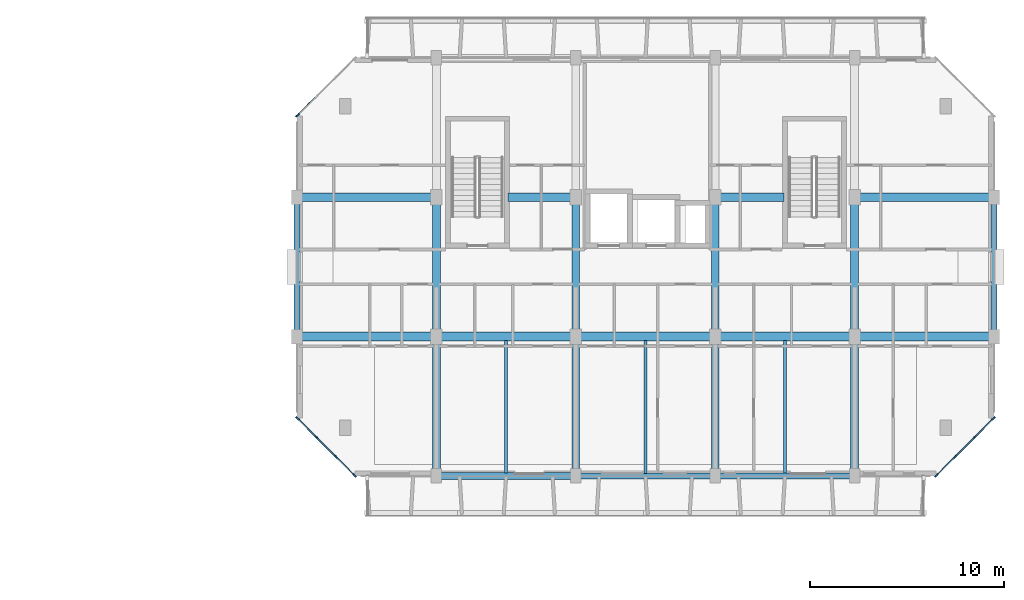
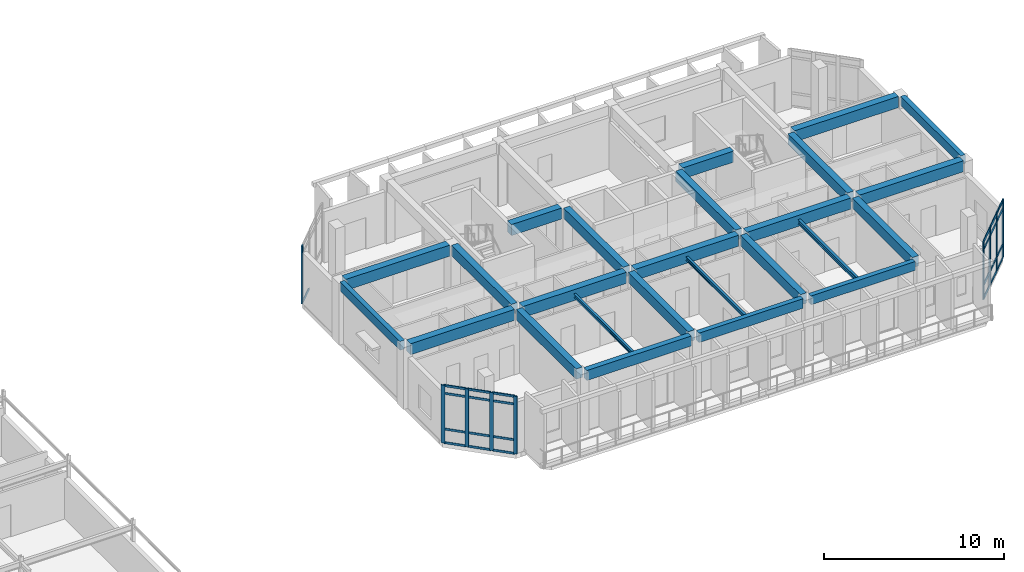
# One storey, part 31 of 85: 34 members, 25 beams, 3 elements without a shape of their own.
"""IFC4 building model written with IfcOpenShell, lengths in metres."""

from ifc_helpers import new_model, si_unit, direction, frame, origin, origin_2d, place, context, subcontext, project, spatial, rectangle, i_section, extrude, material, layer, layer_set, material_profile, profile_set, type_object, element, aggregate, save


model = new_model("IFC4")

# Units and contexts
model_context = context("Model", 3, precision=1e-05, world=origin(), true_north=direction((0.0, 1.0)))
body_context = subcontext(model_context, "Body", "Model", "MODEL_VIEW")
ifc_project = project(units=[si_unit("LENGTHUNIT", "METRE"), si_unit("AREAUNIT", "SQUARE_METRE"), si_unit("VOLUMEUNIT", "CUBIC_METRE"), si_unit("PLANEANGLEUNIT", "RADIAN"), si_unit("MASSUNIT", "GRAM", prefix="KILO")], contexts=[model_context])

# Site, building, storey
site_placement = place(None, origin())
site = spatial("IfcSite", under=ifc_project, at=site_placement, CompositionType="ELEMENT")
building_placement = place(site_placement, origin())
building = spatial("IfcBuilding", under=site, at=building_placement, Name="Ochrevale Crest", CompositionType="ELEMENT")
storey_placement = place(building_placement, frame((0.0, 0.0, 4.5)))
storey = spatial("IfcBuildingStorey", under=building, at=storey_placement, Name="L01", CompositionType="ELEMENT", Elevation=4.5)

# Beams
ifc_material_1 = material(Name="Precast concrete C50/60", Category="concrete")
ifc_material_profile_1 = material_profile(ifc_material_1, rectangle(XDim=0.39990234375, YDim=0.699951171875, at=origin_2d()), Name="PC 400x700")
ifc_profile_set_1 = profile_set([ifc_material_profile_1], Name="Precast concrete C50/60")
beam_type_1 = type_object("IfcBeamType", Name="BM-PC400x700", PredefinedType="BEAM", material=ifc_profile_set_1)
beam_1_placement = place(storey_placement, frame((136.800048828125, 14.655029296875, 3.85009765625), z_axis=(0.0, 1.0, 0.0), x_axis=(-1.0, 0.0, 0.0)))
element("IfcBeam", 1, at=beam_1_placement, inside=storey, type_object=beam_type_1, Name="Block C L01 N-S beam X=136.8", PredefinedType="BEAM", context=body_context, shape_type="SweptSolid", body=[
    extrude(rectangle(XDim=0.39990234375, YDim=0.699951171875, at=origin_2d()), origin(), (0.0, 0.0, 1.0), 6.6650390625),
])
beam_2_placement = place(storey_placement, frame((136.800048828125, 21.8798828125, 3.85009765625), z_axis=(0.0, 1.0, 0.0), x_axis=(-1.0, 0.0, 0.0)))
element("IfcBeam", 2, at=beam_2_placement, inside=storey, type_object=beam_type_1, Name="Block C L01 N-S beam X=136.8", PredefinedType="BEAM", context=body_context, shape_type="SweptSolid", body=[
    extrude(rectangle(XDim=0.39990234375, YDim=0.699951171875, at=origin_2d()), origin(), (0.0, 0.0, 1.0), 6.64013671875),
])
beam_3_placement = place(storey_placement, frame((144.0, 14.655029296875, 3.85009765625), z_axis=(0.0, 1.0, 0.0), x_axis=(-1.0, 0.0, 0.0)))
element("IfcBeam", 3, at=beam_3_placement, inside=storey, type_object=beam_type_1, Name="Block C L01 N-S beam X=144.0", PredefinedType="BEAM", context=body_context, shape_type="SweptSolid", body=[
    extrude(rectangle(XDim=0.39990234375, YDim=0.699951171875, at=origin_2d()), origin(), (0.0, 0.0, 1.0), 6.6650390625),
])
beam_4_placement = place(storey_placement, frame((144.0, 21.8798828125, 3.85009765625), z_axis=(0.0, 1.0, 0.0), x_axis=(-1.0, 0.0, 0.0)))
element("IfcBeam", 4, at=beam_4_placement, inside=storey, type_object=beam_type_1, Name="Block C L01 N-S beam X=144.0", PredefinedType="BEAM", context=body_context, shape_type="SweptSolid", body=[
    extrude(rectangle(XDim=0.39990234375, YDim=0.699951171875, at=origin_2d()), origin(), (0.0, 0.0, 1.0), 6.64013671875),
])
beam_5_placement = place(storey_placement, frame((151.199951171875, 14.655029296875, 3.85009765625), z_axis=(0.0, 1.0, 0.0), x_axis=(-1.0, 0.0, 0.0)))
element("IfcBeam", 5, at=beam_5_placement, inside=storey, type_object=beam_type_1, Name="Block C L01 N-S beam X=151.2", PredefinedType="BEAM", context=body_context, shape_type="SweptSolid", body=[
    extrude(rectangle(XDim=0.39990234375, YDim=0.699951171875, at=origin_2d()), origin(), (0.0, 0.0, 1.0), 6.6650390625),
])
beam_6_placement = place(storey_placement, frame((151.199951171875, 21.8798828125, 3.85009765625), z_axis=(0.0, 1.0, 0.0), x_axis=(-1.0, 0.0, 0.0)))
element("IfcBeam", 6, at=beam_6_placement, inside=storey, type_object=beam_type_1, Name="Block C L01 N-S beam X=151.2", PredefinedType="BEAM", context=body_context, shape_type="SweptSolid", body=[
    extrude(rectangle(XDim=0.39990234375, YDim=0.699951171875, at=origin_2d()), origin(), (0.0, 0.0, 1.0), 6.64013671875),
])
beam_7_placement = place(storey_placement, frame((158.39990234375, 14.655029296875, 3.85009765625), z_axis=(0.0, 1.0, 0.0), x_axis=(-1.0, 0.0, 0.0)))
element("IfcBeam", 7, at=beam_7_placement, inside=storey, type_object=beam_type_1, Name="Block C L01 N-S beam X=158.4", PredefinedType="BEAM", context=body_context, shape_type="SweptSolid", body=[
    extrude(rectangle(XDim=0.39990234375, YDim=0.699951171875, at=origin_2d()), origin(), (0.0, 0.0, 1.0), 6.6650390625),
])
beam_8_placement = place(storey_placement, frame((158.39990234375, 21.8798828125, 3.85009765625), z_axis=(0.0, 1.0, 0.0), x_axis=(-1.0, 0.0, 0.0)))
element("IfcBeam", 8, at=beam_8_placement, inside=storey, type_object=beam_type_1, Name="Block C L01 N-S beam X=158.4", PredefinedType="BEAM", context=body_context, shape_type="SweptSolid", body=[
    extrude(rectangle(XDim=0.39990234375, YDim=0.699951171875, at=origin_2d()), origin(), (0.0, 0.0, 1.0), 6.64013671875),
])
ifc_material_2 = material(Name="Concrete C50/60", Category="concrete")
ifc_material_profile_2 = material_profile(ifc_material_2, rectangle(XDim=0.449951171875, YDim=0.75, at=origin_2d()), Name="RC 450x750")
ifc_profile_set_2 = profile_set([ifc_material_profile_2], Name="Concrete C50/60")
beam_type_2 = type_object("IfcBeamType", Name="BM-PG450x750", PredefinedType="USERDEFINED", material=ifc_profile_set_2)
beam_9_placement = place(storey_placement, frame((129.85009765625, 21.60009765625, 3.824951171875), z_axis=(1.0, 0.0, 0.0), x_axis=(0.0, 1.0, 0.0)))
element("IfcBeam", 9, at=beam_9_placement, inside=storey, type_object=beam_type_2, Name="Block C L01 E-W beam Y=21.6", ObjectType="GIRDER", PredefinedType="USERDEFINED", context=body_context, shape_type="SweptSolid", body=[
    extrude(rectangle(XDim=0.449951171875, YDim=0.75, at=origin_2d()), origin(), (0.0, 0.0, 1.0), 6.6748046875),
])
for number, where, z_axis, x_axis, name in (
    (10, (137.074951171875, 21.60009765625, 3.824951171875), (1.0, 0.0, 0.0), (0.0, 1.0, 0.0), "Block C L01 E-W beam Y=21.6"),
    (11, (144.27490234375, 21.60009765625, 3.824951171875), (1.0, 0.0, 0.0), (0.0, 1.0, 0.0), "Block C L01 E-W beam Y=21.6"),
):
    element("IfcBeam", number, at=place(storey_placement, frame(where, z_axis=z_axis, x_axis=x_axis)), inside=storey, type_object=beam_type_2, Name=name, ObjectType="GIRDER", PredefinedType="USERDEFINED", context=body_context, shape_type="SweptSolid", body=[
        extrude(rectangle(XDim=0.449951171875, YDim=0.75, at=origin_2d()), origin(), (0.0, 0.0, 1.0), 6.650146484375),
    ])
beam_10_placement = place(storey_placement, frame((151.47509765625, 21.60009765625, 3.824951171875), z_axis=(1.0, 0.0, 0.0), x_axis=(0.0, 1.0, 0.0)))
element("IfcBeam", 12, at=beam_10_placement, inside=storey, type_object=beam_type_2, Name="Block C L01 E-W beam Y=21.6", ObjectType="GIRDER", PredefinedType="USERDEFINED", context=body_context, shape_type="SweptSolid", body=[
    extrude(rectangle(XDim=0.449951171875, YDim=0.75, at=origin_2d()), origin(), (0.0, 0.0, 1.0), 6.64990234375),
])
beam_11_placement = place(storey_placement, frame((158.675048828125, 21.60009765625, 3.824951171875), z_axis=(1.0, 0.0, 0.0), x_axis=(0.0, 1.0, 0.0)))
element("IfcBeam", 13, at=beam_11_placement, inside=storey, type_object=beam_type_2, Name="Block C L01 E-W beam Y=21.6", ObjectType="GIRDER", PredefinedType="USERDEFINED", context=body_context, shape_type="SweptSolid", body=[
    extrude(rectangle(XDim=0.449951171875, YDim=0.75, at=origin_2d()), origin(), (0.0, 0.0, 1.0), 6.675048828125),
])
beam_12_placement = place(storey_placement, frame((129.85009765625, 28.800048828125, 3.824951171875), z_axis=(1.0, 0.0, 0.0), x_axis=(0.0, 1.0, 0.0)))
element("IfcBeam", 14, at=beam_12_placement, inside=storey, type_object=beam_type_2, Name="Block C L01 E-W beam Y=28.8", ObjectType="GIRDER", PredefinedType="USERDEFINED", context=body_context, shape_type="SweptSolid", body=[
    extrude(rectangle(XDim=0.449951171875, YDim=0.75, at=origin_2d()), origin(), (0.0, 0.0, 1.0), 6.6748046875),
])
beam_13_placement = place(storey_placement, frame((140.489990234375, 28.800048828125, 3.824951171875), z_axis=(1.0, 0.0, 0.0), x_axis=(0.0, 1.0, 0.0)))
element("IfcBeam", 15, at=beam_13_placement, inside=storey, type_object=beam_type_2, Name="Block C L01 E-W beam Y=28.8", ObjectType="GIRDER", PredefinedType="USERDEFINED", context=body_context, shape_type="SweptSolid", body=[
    extrude(rectangle(XDim=0.449951171875, YDim=0.75, at=origin_2d()), origin(), (0.0, 0.0, 1.0), 3.235107421875),
])
beam_14_placement = place(storey_placement, frame((151.47509765625, 28.800048828125, 3.824951171875), z_axis=(1.0, 0.0, 0.0), x_axis=(0.0, 1.0, 0.0)))
element("IfcBeam", 16, at=beam_14_placement, inside=storey, type_object=beam_type_2, Name="Block C L01 E-W beam Y=28.8", ObjectType="GIRDER", PredefinedType="USERDEFINED", context=body_context, shape_type="SweptSolid", body=[
    extrude(rectangle(XDim=0.449951171875, YDim=0.75, at=origin_2d()), origin(), (0.0, 0.0, 1.0), 3.284912109375),
])
beam_15_placement = place(storey_placement, frame((158.675048828125, 28.800048828125, 3.824951171875), z_axis=(1.0, 0.0, 0.0), x_axis=(0.0, 1.0, 0.0)))
element("IfcBeam", 17, at=beam_15_placement, inside=storey, type_object=beam_type_2, Name="Block C L01 E-W beam Y=28.8", ObjectType="GIRDER", PredefinedType="USERDEFINED", context=body_context, shape_type="SweptSolid", body=[
    extrude(rectangle(XDim=0.449951171875, YDim=0.75, at=origin_2d()), origin(), (0.0, 0.0, 1.0), 6.675048828125),
])
ifc_material_3 = material(Name="Precast concrete C40/50", Category="concrete")
ifc_material_profile_3 = material_profile(ifc_material_3, rectangle(XDim=0.300048828125, YDim=0.60009765625, at=origin_2d()), Name="PC 300x600")
ifc_profile_set_3 = profile_set([ifc_material_profile_3], Name="Precast concrete C40/50")
beam_type_3 = type_object("IfcBeamType", Name="BM-SP300x600", PredefinedType="SPANDREL", material=ifc_profile_set_3)
beam_16_placement = place(storey_placement, frame((151.449951171875, 14.39990234375, 3.89990234375), z_axis=(1.0, 0.0, 0.0), x_axis=(0.0, 1.0, 0.0)))
element("IfcBeam", 18, at=beam_16_placement, inside=storey, type_object=beam_type_3, Name="Block C L01 E-W beam Y=14.4", PredefinedType="SPANDREL", context=body_context, shape_type="SweptSolid", body=[
    extrude(rectangle(XDim=0.300048828125, YDim=0.60009765625, at=origin_2d()), origin(), (0.0, 0.0, 1.0), 6.699951171875),
])
for number, where, z_axis, x_axis, name in (
    (19, (129.60009765625, 21.85498046875, 3.89990234375), (0.0, 1.0, 0.0), (-1.0, 0.0, 0.0), "Block C L01 N-S beam X=129.6"),
    (20, (165.60009765625, 21.85498046875, 3.89990234375), (0.0, 1.0, 0.0), (-1.0, 0.0, 0.0), "Block C L01 N-S beam X=165.6"),
):
    element("IfcBeam", number, at=place(storey_placement, frame(where, z_axis=z_axis, x_axis=x_axis)), inside=storey, type_object=beam_type_3, Name=name, PredefinedType="SPANDREL", context=body_context, shape_type="SweptSolid", body=[
        extrude(rectangle(XDim=0.300048828125, YDim=0.60009765625, at=origin_2d()), origin(), (0.0, 0.0, 1.0), 6.68994140625),
    ])
ifc_material_profile_4 = material_profile(ifc_material_3, rectangle(XDim=0.300048828125, YDim=0.64990234375, at=origin_2d()), Name="PC 300x650")
ifc_profile_set_4 = profile_set([ifc_material_profile_4], Name="Precast concrete C40/50")
beam_type_4 = type_object("IfcBeamType", Name="BM-SP300x650", PredefinedType="SPANDREL", material=ifc_profile_set_4)
beam_17_placement = place(storey_placement, frame((144.25, 14.39990234375, 3.875), z_axis=(1.0, 0.0, 0.0), x_axis=(0.0, 1.0, 0.0)))
element("IfcBeam", 21, at=beam_17_placement, inside=storey, type_object=beam_type_4, Name="Block C L01 E-W beam Y=14.4", PredefinedType="SPANDREL", context=body_context, shape_type="SweptSolid", body=[
    extrude(rectangle(XDim=0.300048828125, YDim=0.64990234375, at=origin_2d()), origin(), (0.0, 0.0, 1.0), 6.699951171875),
])
ifc_material_profile_5 = material_profile(ifc_material_3, rectangle(XDim=0.35009765625, YDim=0.679931640625, at=origin_2d()), Name="PC 350x680")
ifc_profile_set_5 = profile_set([ifc_material_profile_5], Name="Precast concrete C40/50")
beam_type_5 = type_object("IfcBeamType", Name="BM-SP350x680", PredefinedType="SPANDREL", material=ifc_profile_set_5)
beam_18_placement = place(storey_placement, frame((137.050048828125, 14.39990234375, 3.860107421875), z_axis=(1.0, 0.0, 0.0), x_axis=(0.0, 1.0, 0.0)))
element("IfcBeam", 22, at=beam_18_placement, inside=storey, type_object=beam_type_5, Name="Block C L01 E-W beam Y=14.4", PredefinedType="SPANDREL", context=body_context, shape_type="SweptSolid", body=[
    extrude(rectangle(XDim=0.35009765625, YDim=0.679931640625, at=origin_2d()), origin(), (0.0, 0.0, 1.0), 6.699951171875),
])
ifc_material_4 = material(Name="Steel S355", Category="steel")
ifc_material_profile_6 = material_profile(ifc_material_4, i_section(OverallWidth=0.14599609375, OverallDepth=0.251708984375, WebThickness=0.006103515625, FlangeThickness=0.008544921875, FilletRadius=0.0087890625, at=origin_2d()), Name="250UB31.4")
ifc_profile_set_6 = profile_set([ifc_material_profile_6], Name="Steel S355")
beam_type_6 = type_object("IfcBeamType", Name="BM-UB250A", PredefinedType="JOIST", material=ifc_profile_set_6)
beam_19_placement = place(storey_placement, frame((140.39990234375, 14.56298828125, 3.79931640625), z_axis=(0.0, 1.0, 0.0), x_axis=(-1.0, 0.0, 0.0)))
element("IfcBeam", 23, at=beam_19_placement, inside=storey, type_object=beam_type_6, Name="Block C L01 composite plank trimmer beam 2", PredefinedType="JOIST", context=body_context, shape_type="SweptSolid", body=[
    extrude(i_section(OverallWidth=0.14599609375, OverallDepth=0.251708984375, WebThickness=0.006103515625, FlangeThickness=0.008544921875, FilletRadius=0.0087890625, at=origin_2d()), origin(), (0.0, 0.0, 1.0), 6.823974609375),
])
ifc_material_profile_7 = material_profile(ifc_material_4, i_section(OverallWidth=0.146484375, OverallDepth=0.256103515625, WebThickness=0.00634765625, FlangeThickness=0.010986328125, FilletRadius=0.0087890625, at=origin_2d()), Name="250UB37.3")
ifc_profile_set_7 = profile_set([ifc_material_profile_7], Name="Steel S355")
beam_type_7 = type_object("IfcBeamType", Name="BM-UB250B", PredefinedType="JOIST", material=ifc_profile_set_7)
beam_20_placement = place(storey_placement, frame((147.60009765625, 14.5380859375, 3.796875), z_axis=(0.0, 1.0, 0.0), x_axis=(-1.0, 0.0, 0.0)))
element("IfcBeam", 24, at=beam_20_placement, inside=storey, type_object=beam_type_7, Name="Block C L01 composite plank trimmer beam 3", PredefinedType="JOIST", context=body_context, shape_type="SweptSolid", body=[
    extrude(i_section(OverallWidth=0.146484375, OverallDepth=0.256103515625, WebThickness=0.00634765625, FlangeThickness=0.010986328125, FilletRadius=0.0087890625, at=origin_2d()), origin(), (0.0, 0.0, 1.0), 6.848876953125),
])
ifc_material_profile_8 = material_profile(ifc_material_4, i_section(OverallWidth=0.1650390625, OverallDepth=0.3037109375, WebThickness=0.006103515625, FlangeThickness=0.01025390625, FilletRadius=0.011474609375, at=origin_2d()), Name="310UB40.4")
ifc_profile_set_8 = profile_set([ifc_material_profile_8], Name="Steel S355")
beam_type_8 = type_object("IfcBeamType", Name="BM-UB310A", PredefinedType="BEAM", material=ifc_profile_set_8)
beam_21_placement = place(storey_placement, frame((154.800048828125, 14.5380859375, 3.773193359375), z_axis=(0.0, 1.0, 0.0), x_axis=(-1.0, 0.0, 0.0)))
element("IfcBeam", 25, at=beam_21_placement, inside=storey, type_object=beam_type_8, Name="Block C L01 composite plank trimmer beam 4", PredefinedType="BEAM", context=body_context, shape_type="SweptSolid", body=[
    extrude(i_section(OverallWidth=0.1650390625, OverallDepth=0.3037109375, WebThickness=0.006103515625, FlangeThickness=0.01025390625, FilletRadius=0.011474609375, at=origin_2d()), origin(), (0.0, 0.0, 1.0), 6.848876953125),
])

# Curtain wall, members
ifc_material_5 = material(Name="Anodised aluminium 6063-T5", Category="aluminium")
ifc_layer = layer(ifc_material_5, 0.14990234375)
ifc_layer_set = layer_set([ifc_layer], Name="Anodised aluminium 6063-T5")
curtain_wall_type = type_object("IfcCurtainWallType", Name="CW-WG-360x385", PredefinedType="NOTDEFINED", material=ifc_layer_set)
curtain_wall_1_placement = place(storey_placement, origin())
curtain_wall_1 = element("IfcCurtainWall", 26, at=curtain_wall_1_placement, inside=storey, type_object=curtain_wall_type, Name="Block C L01 chamfered corner wintergarden curtain wall 2", PredefinedType="NOTDEFINED")
ifc_material_profile_9 = material_profile(ifc_material_5, rectangle(XDim=0.074951171875, YDim=0.219970703125, at=origin_2d()), Name="ALU 75x220")
ifc_profile_set_9 = profile_set([ifc_material_profile_9], Name="Anodised aluminium 6063-T5")
member_type_1 = type_object("IfcMemberType", Name="CW-MUL-75x220", PredefinedType="MULLION", material=ifc_profile_set_9)
member_1_placement = place(storey_placement, frame((162.62646484375, 14.426513671875, 0.0), z_axis=(0.0, 0.0, 1.0), x_axis=(-0.707106781187, 0.707106781187, 0.0)))
member_1 = element("IfcMember", 27, at=member_1_placement, type_object=member_type_1, Name="CW20 mullion 1", PredefinedType="MULLION", context=body_context, shape_type="SweptSolid", body=[
    extrude(rectangle(XDim=0.074951171875, YDim=0.219970703125, at=origin_2d()), origin(), (0.0, 0.0, 1.0), 3.925048828125),
])
member_2_placement = place(storey_placement, frame((163.60009765625, 15.39990234375, 0.0), z_axis=(0.0, 0.0, 1.0), x_axis=(-0.707106781187, 0.707106781187, 0.0)))
member_2 = element("IfcMember", 28, at=member_2_placement, type_object=member_type_1, Name="CW20 mullion 2", PredefinedType="MULLION", context=body_context, shape_type="SweptSolid", body=[
    extrude(rectangle(XDim=0.074951171875, YDim=0.219970703125, at=origin_2d()), origin(), (0.0, 0.0, 1.0), 3.925048828125),
])
member_3_placement = place(storey_placement, frame((164.60009765625, 16.39990234375, 0.0), z_axis=(0.0, 0.0, 1.0), x_axis=(-0.707106781187, 0.707106781187, 0.0)))
member_3 = element("IfcMember", 29, at=member_3_placement, type_object=member_type_1, Name="CW20 mullion 3", PredefinedType="MULLION", context=body_context, shape_type="SweptSolid", body=[
    extrude(rectangle(XDim=0.074951171875, YDim=0.219970703125, at=origin_2d()), origin(), (0.0, 0.0, 1.0), 3.925048828125),
])
member_4_placement = place(storey_placement, frame((165.573486328125, 17.37353515625, 0.0), z_axis=(0.0, 0.0, 1.0), x_axis=(-0.707106781187, 0.707106781187, 0.0)))
member_4 = element("IfcMember", 30, at=member_4_placement, type_object=member_type_1, Name="CW20 mullion 4", PredefinedType="MULLION", context=body_context, shape_type="SweptSolid", body=[
    extrude(rectangle(XDim=0.074951171875, YDim=0.219970703125, at=origin_2d()), origin(), (0.0, 0.0, 1.0), 3.925048828125),
])

# Curtain wall, member
curtain_wall_2_placement = place(storey_placement, origin())
curtain_wall_2 = element("IfcCurtainWall", 31, at=curtain_wall_2_placement, inside=storey, type_object=curtain_wall_type, Name="Block C L01 chamfered corner wintergarden curtain wall 6", PredefinedType="NOTDEFINED")
member_5_placement = place(storey_placement, frame((129.62646484375, 33.026611328125, 0.0), z_axis=(0.0, 0.0, 1.0), x_axis=(0.707106781187, -0.707106781187, 0.0)))
member_5 = element("IfcMember", 32, at=member_5_placement, type_object=member_type_1, Name="CW20 mullion 4", PredefinedType="MULLION", context=body_context, shape_type="SweptSolid", body=[
    extrude(rectangle(XDim=0.074951171875, YDim=0.219970703125, at=origin_2d()), origin(), (0.0, 0.0, 1.0), 3.925048828125),
])

# Curtain wall, members
curtain_wall_3_placement = place(storey_placement, origin())
curtain_wall_3 = element("IfcCurtainWall", 33, at=curtain_wall_3_placement, inside=storey, type_object=curtain_wall_type, Name="Block C L01 chamfered corner wintergarden curtain wall 8", PredefinedType="NOTDEFINED")
member_6_placement = place(storey_placement, frame((129.62646484375, 17.37353515625, 0.0), z_axis=(0.0, 0.0, 1.0), x_axis=(0.707106781187, 0.707106781187, 0.0)))
member_6 = element("IfcMember", 34, at=member_6_placement, type_object=member_type_1, Name="CW20 mullion 1", PredefinedType="MULLION", context=body_context, shape_type="SweptSolid", body=[
    extrude(rectangle(XDim=0.074951171875, YDim=0.219970703125, at=origin_2d()), origin(), (0.0, 0.0, 1.0), 3.925048828125),
])
member_7_placement = place(storey_placement, frame((130.60009765625, 16.39990234375, 0.0), z_axis=(0.0, 0.0, 1.0), x_axis=(0.707106781187, 0.707106781187, 0.0)))
member_7 = element("IfcMember", 35, at=member_7_placement, type_object=member_type_1, Name="CW20 mullion 2", PredefinedType="MULLION", context=body_context, shape_type="SweptSolid", body=[
    extrude(rectangle(XDim=0.074951171875, YDim=0.219970703125, at=origin_2d()), origin(), (0.0, 0.0, 1.0), 3.925048828125),
])
member_8_placement = place(storey_placement, frame((131.60009765625, 15.39990234375, 0.0), z_axis=(0.0, 0.0, 1.0), x_axis=(0.707106781187, 0.707106781187, 0.0)))
member_8 = element("IfcMember", 36, at=member_8_placement, type_object=member_type_1, Name="CW20 mullion 3", PredefinedType="MULLION", context=body_context, shape_type="SweptSolid", body=[
    extrude(rectangle(XDim=0.074951171875, YDim=0.219970703125, at=origin_2d()), origin(), (0.0, 0.0, 1.0), 3.925048828125),
])
member_9_placement = place(storey_placement, frame((132.573486328125, 14.426513671875, 0.0), z_axis=(0.0, 0.0, 1.0), x_axis=(0.707106781187, 0.707106781187, 0.0)))
member_9 = element("IfcMember", 37, at=member_9_placement, type_object=member_type_1, Name="CW20 mullion 4", PredefinedType="MULLION", context=body_context, shape_type="SweptSolid", body=[
    extrude(rectangle(XDim=0.074951171875, YDim=0.219970703125, at=origin_2d()), origin(), (0.0, 0.0, 1.0), 3.925048828125),
])

# Member
ifc_material_profile_10 = material_profile(ifc_material_5, rectangle(XDim=0.06005859375, YDim=0.14990234375, at=origin_2d()), Name="ALU 60x150")
ifc_profile_set_10 = profile_set([ifc_material_profile_10], Name="Anodised aluminium 6063-T5")
member_type_2 = type_object("IfcMemberType", Name="CW-TRN-60x150", PredefinedType="USERDEFINED", material=ifc_profile_set_10)
member_10_placement = place(storey_placement, frame((162.653076171875, 14.453125, 0.030029296875), z_axis=(0.707106781187, 0.707106781187, 0.0), x_axis=(-0.707106781187, 0.707106781187, 0.0)))
member_10 = element("IfcMember", 38, at=member_10_placement, type_object=member_type_2, Name="CW20 transom 1.1", ObjectType="TRANSOM", PredefinedType="USERDEFINED", context=body_context, shape_type="SweptSolid", body=[
    extrude(rectangle(XDim=0.06005859375, YDim=0.14990234375, at=origin_2d()), origin(), (0.0, 0.0, 1.0), 1.3017578125),
])

member_11_placement = place(storey_placement, frame((162.653076171875, 14.453125, 0.949951171875), z_axis=(0.707106781187, 0.707106781187, 0.0), x_axis=(-0.707106781187, 0.707106781187, 0.0)))
member_11 = element("IfcMember", 39, at=member_11_placement, type_object=member_type_2, Name="CW20 transom 1.2", ObjectType="TRANSOM", PredefinedType="USERDEFINED", context=body_context, shape_type="SweptSolid", body=[
    extrude(rectangle(XDim=0.06005859375, YDim=0.14990234375, at=origin_2d()), origin(), (0.0, 0.0, 1.0), 1.3017578125),
])

member_12_placement = place(storey_placement, frame((162.653076171875, 14.453125, 3.375), z_axis=(0.707106781187, 0.707106781187, 0.0), x_axis=(-0.707106781187, 0.707106781187, 0.0)))
member_12 = element("IfcMember", 40, at=member_12_placement, type_object=member_type_2, Name="CW20 transom 1.3", ObjectType="TRANSOM", PredefinedType="USERDEFINED", context=body_context, shape_type="SweptSolid", body=[
    extrude(rectangle(XDim=0.06005859375, YDim=0.14990234375, at=origin_2d()), origin(), (0.0, 0.0, 1.0), 1.3017578125),
])

member_13_placement = place(storey_placement, frame((162.653076171875, 14.453125, 3.89501953125), z_axis=(0.707106781187, 0.707106781187, 0.0), x_axis=(-0.707106781187, 0.707106781187, 0.0)))
member_13 = element("IfcMember", 41, at=member_13_placement, type_object=member_type_2, Name="CW20 transom 1.4", ObjectType="TRANSOM", PredefinedType="USERDEFINED", context=body_context, shape_type="SweptSolid", body=[
    extrude(rectangle(XDim=0.06005859375, YDim=0.14990234375, at=origin_2d()), origin(), (0.0, 0.0, 1.0), 1.3017578125),
])

member_14_placement = place(storey_placement, frame((163.62646484375, 15.426513671875, 0.030029296875), z_axis=(0.707106781187, 0.707106781187, 0.0), x_axis=(-0.707106781187, 0.707106781187, 0.0)))
member_14 = element("IfcMember", 42, at=member_14_placement, type_object=member_type_2, Name="CW20 transom 2.1", ObjectType="TRANSOM", PredefinedType="USERDEFINED", context=body_context, shape_type="SweptSolid", body=[
    extrude(rectangle(XDim=0.06005859375, YDim=0.14990234375, at=origin_2d()), origin(), (0.0, 0.0, 1.0), 1.33935546875),
])

member_15_placement = place(storey_placement, frame((163.62646484375, 15.426513671875, 0.949951171875), z_axis=(0.707106781187, 0.707106781187, 0.0), x_axis=(-0.707106781187, 0.707106781187, 0.0)))
member_15 = element("IfcMember", 43, at=member_15_placement, type_object=member_type_2, Name="CW20 transom 2.2", ObjectType="TRANSOM", PredefinedType="USERDEFINED", context=body_context, shape_type="SweptSolid", body=[
    extrude(rectangle(XDim=0.06005859375, YDim=0.14990234375, at=origin_2d()), origin(), (0.0, 0.0, 1.0), 1.33935546875),
])

member_16_placement = place(storey_placement, frame((163.62646484375, 15.426513671875, 3.375), z_axis=(0.707106781187, 0.707106781187, 0.0), x_axis=(-0.707106781187, 0.707106781187, 0.0)))
member_16 = element("IfcMember", 44, at=member_16_placement, type_object=member_type_2, Name="CW20 transom 2.3", ObjectType="TRANSOM", PredefinedType="USERDEFINED", context=body_context, shape_type="SweptSolid", body=[
    extrude(rectangle(XDim=0.06005859375, YDim=0.14990234375, at=origin_2d()), origin(), (0.0, 0.0, 1.0), 1.33935546875),
])

member_17_placement = place(storey_placement, frame((163.62646484375, 15.426513671875, 3.89501953125), z_axis=(0.707106781187, 0.707106781187, 0.0), x_axis=(-0.707106781187, 0.707106781187, 0.0)))
member_17 = element("IfcMember", 45, at=member_17_placement, type_object=member_type_2, Name="CW20 transom 2.4", ObjectType="TRANSOM", PredefinedType="USERDEFINED", context=body_context, shape_type="SweptSolid", body=[
    extrude(rectangle(XDim=0.06005859375, YDim=0.14990234375, at=origin_2d()), origin(), (0.0, 0.0, 1.0), 1.33935546875),
])

member_18_placement = place(storey_placement, frame((164.62646484375, 16.426513671875, 0.030029296875), z_axis=(0.707106781187, 0.707106781187, 0.0), x_axis=(-0.707106781187, 0.707106781187, 0.0)))
member_18 = element("IfcMember", 46, at=member_18_placement, type_object=member_type_2, Name="CW20 transom 3.1", ObjectType="TRANSOM", PredefinedType="USERDEFINED", context=body_context, shape_type="SweptSolid", body=[
    extrude(rectangle(XDim=0.06005859375, YDim=0.14990234375, at=origin_2d()), origin(), (0.0, 0.0, 1.0), 1.3017578125),
])

member_19_placement = place(storey_placement, frame((164.62646484375, 16.426513671875, 0.949951171875), z_axis=(0.707106781187, 0.707106781187, 0.0), x_axis=(-0.707106781187, 0.707106781187, 0.0)))
member_19 = element("IfcMember", 47, at=member_19_placement, type_object=member_type_2, Name="CW20 transom 3.2", ObjectType="TRANSOM", PredefinedType="USERDEFINED", context=body_context, shape_type="SweptSolid", body=[
    extrude(rectangle(XDim=0.06005859375, YDim=0.14990234375, at=origin_2d()), origin(), (0.0, 0.0, 1.0), 1.3017578125),
])

member_20_placement = place(storey_placement, frame((164.62646484375, 16.426513671875, 3.375), z_axis=(0.707106781187, 0.707106781187, 0.0), x_axis=(-0.707106781187, 0.707106781187, 0.0)))
member_20 = element("IfcMember", 48, at=member_20_placement, type_object=member_type_2, Name="CW20 transom 3.3", ObjectType="TRANSOM", PredefinedType="USERDEFINED", context=body_context, shape_type="SweptSolid", body=[
    extrude(rectangle(XDim=0.06005859375, YDim=0.14990234375, at=origin_2d()), origin(), (0.0, 0.0, 1.0), 1.3017578125),
])

member_21_placement = place(storey_placement, frame((164.62646484375, 16.426513671875, 3.89501953125), z_axis=(0.707106781187, 0.707106781187, 0.0), x_axis=(-0.707106781187, 0.707106781187, 0.0)))
member_21 = element("IfcMember", 49, at=member_21_placement, type_object=member_type_2, Name="CW20 transom 3.4", ObjectType="TRANSOM", PredefinedType="USERDEFINED", context=body_context, shape_type="SweptSolid", body=[
    extrude(rectangle(XDim=0.06005859375, YDim=0.14990234375, at=origin_2d()), origin(), (0.0, 0.0, 1.0), 1.3017578125),
])

aggregate(curtain_wall_1, [member_1, member_2, member_3, member_4, member_10, member_11, member_12, member_13, member_14, member_15, member_16, member_17, member_18, member_19, member_20, member_21])

member_22_placement = place(storey_placement, frame((130.573486328125, 33.973388671875, 0.030029296875), z_axis=(-0.707106781187, -0.707106781187, 0.0), x_axis=(0.707106781187, -0.707106781187, 0.0)))
member_22 = element("IfcMember", 50, at=member_22_placement, type_object=member_type_2, Name="CW20 transom 3.1", ObjectType="TRANSOM", PredefinedType="USERDEFINED", context=body_context, shape_type="SweptSolid", body=[
    extrude(rectangle(XDim=0.06005859375, YDim=0.14990234375, at=origin_2d()), origin(), (0.0, 0.0, 1.0), 1.3017578125),
])

aggregate(curtain_wall_2, [member_5, member_22])

member_23_placement = place(storey_placement, frame((129.653076171875, 17.346923828125, 0.030029296875), z_axis=(0.707106781187, -0.707106781187, 0.0), x_axis=(0.707106781187, 0.707106781187, 0.0)))
member_23 = element("IfcMember", 51, at=member_23_placement, type_object=member_type_2, Name="CW20 transom 1.1", ObjectType="TRANSOM", PredefinedType="USERDEFINED", context=body_context, shape_type="SweptSolid", body=[
    extrude(rectangle(XDim=0.06005859375, YDim=0.14990234375, at=origin_2d()), origin(), (0.0, 0.0, 1.0), 1.3017578125),
])

member_24_placement = place(storey_placement, frame((129.653076171875, 17.346923828125, 0.949951171875), z_axis=(0.707106781187, -0.707106781187, 0.0), x_axis=(0.707106781187, 0.707106781187, 0.0)))
member_24 = element("IfcMember", 52, at=member_24_placement, type_object=member_type_2, Name="CW20 transom 1.2", ObjectType="TRANSOM", PredefinedType="USERDEFINED", context=body_context, shape_type="SweptSolid", body=[
    extrude(rectangle(XDim=0.06005859375, YDim=0.14990234375, at=origin_2d()), origin(), (0.0, 0.0, 1.0), 1.3017578125),
])

member_25_placement = place(storey_placement, frame((129.653076171875, 17.346923828125, 3.375), z_axis=(0.707106781187, -0.707106781187, 0.0), x_axis=(0.707106781187, 0.707106781187, 0.0)))
member_25 = element("IfcMember", 53, at=member_25_placement, type_object=member_type_2, Name="CW20 transom 1.3", ObjectType="TRANSOM", PredefinedType="USERDEFINED", context=body_context, shape_type="SweptSolid", body=[
    extrude(rectangle(XDim=0.06005859375, YDim=0.14990234375, at=origin_2d()), origin(), (0.0, 0.0, 1.0), 1.3017578125),
])

member_26_placement = place(storey_placement, frame((129.653076171875, 17.346923828125, 3.89501953125), z_axis=(0.707106781187, -0.707106781187, 0.0), x_axis=(0.707106781187, 0.707106781187, 0.0)))
member_26 = element("IfcMember", 54, at=member_26_placement, type_object=member_type_2, Name="CW20 transom 1.4", ObjectType="TRANSOM", PredefinedType="USERDEFINED", context=body_context, shape_type="SweptSolid", body=[
    extrude(rectangle(XDim=0.06005859375, YDim=0.14990234375, at=origin_2d()), origin(), (0.0, 0.0, 1.0), 1.3017578125),
])

member_27_placement = place(storey_placement, frame((130.62646484375, 16.37353515625, 0.030029296875), z_axis=(0.707106781187, -0.707106781187, 0.0), x_axis=(0.707106781187, 0.707106781187, 0.0)))
member_27 = element("IfcMember", 55, at=member_27_placement, type_object=member_type_2, Name="CW20 transom 2.1", ObjectType="TRANSOM", PredefinedType="USERDEFINED", context=body_context, shape_type="SweptSolid", body=[
    extrude(rectangle(XDim=0.06005859375, YDim=0.14990234375, at=origin_2d()), origin(), (0.0, 0.0, 1.0), 1.33935546875),
])

member_28_placement = place(storey_placement, frame((130.62646484375, 16.37353515625, 0.949951171875), z_axis=(0.707106781187, -0.707106781187, 0.0), x_axis=(0.707106781187, 0.707106781187, 0.0)))
member_28 = element("IfcMember", 56, at=member_28_placement, type_object=member_type_2, Name="CW20 transom 2.2", ObjectType="TRANSOM", PredefinedType="USERDEFINED", context=body_context, shape_type="SweptSolid", body=[
    extrude(rectangle(XDim=0.06005859375, YDim=0.14990234375, at=origin_2d()), origin(), (0.0, 0.0, 1.0), 1.33935546875),
])

member_29_placement = place(storey_placement, frame((130.62646484375, 16.37353515625, 3.375), z_axis=(0.707106781187, -0.707106781187, 0.0), x_axis=(0.707106781187, 0.707106781187, 0.0)))
member_29 = element("IfcMember", 57, at=member_29_placement, type_object=member_type_2, Name="CW20 transom 2.3", ObjectType="TRANSOM", PredefinedType="USERDEFINED", context=body_context, shape_type="SweptSolid", body=[
    extrude(rectangle(XDim=0.06005859375, YDim=0.14990234375, at=origin_2d()), origin(), (0.0, 0.0, 1.0), 1.33935546875),
])

member_30_placement = place(storey_placement, frame((130.62646484375, 16.37353515625, 3.89501953125), z_axis=(0.707106781187, -0.707106781187, 0.0), x_axis=(0.707106781187, 0.707106781187, 0.0)))
member_30 = element("IfcMember", 58, at=member_30_placement, type_object=member_type_2, Name="CW20 transom 2.4", ObjectType="TRANSOM", PredefinedType="USERDEFINED", context=body_context, shape_type="SweptSolid", body=[
    extrude(rectangle(XDim=0.06005859375, YDim=0.14990234375, at=origin_2d()), origin(), (0.0, 0.0, 1.0), 1.33935546875),
])

member_31_placement = place(storey_placement, frame((131.62646484375, 15.37353515625, 0.030029296875), z_axis=(0.707106781187, -0.707106781187, 0.0), x_axis=(0.707106781187, 0.707106781187, 0.0)))
member_31 = element("IfcMember", 59, at=member_31_placement, type_object=member_type_2, Name="CW20 transom 3.1", ObjectType="TRANSOM", PredefinedType="USERDEFINED", context=body_context, shape_type="SweptSolid", body=[
    extrude(rectangle(XDim=0.06005859375, YDim=0.14990234375, at=origin_2d()), origin(), (0.0, 0.0, 1.0), 1.3017578125),
])

member_32_placement = place(storey_placement, frame((131.62646484375, 15.37353515625, 0.949951171875), z_axis=(0.707106781187, -0.707106781187, 0.0), x_axis=(0.707106781187, 0.707106781187, 0.0)))
member_32 = element("IfcMember", 60, at=member_32_placement, type_object=member_type_2, Name="CW20 transom 3.2", ObjectType="TRANSOM", PredefinedType="USERDEFINED", context=body_context, shape_type="SweptSolid", body=[
    extrude(rectangle(XDim=0.06005859375, YDim=0.14990234375, at=origin_2d()), origin(), (0.0, 0.0, 1.0), 1.3017578125),
])

member_33_placement = place(storey_placement, frame((131.62646484375, 15.37353515625, 3.375), z_axis=(0.707106781187, -0.707106781187, 0.0), x_axis=(0.707106781187, 0.707106781187, 0.0)))
member_33 = element("IfcMember", 61, at=member_33_placement, type_object=member_type_2, Name="CW20 transom 3.3", ObjectType="TRANSOM", PredefinedType="USERDEFINED", context=body_context, shape_type="SweptSolid", body=[
    extrude(rectangle(XDim=0.06005859375, YDim=0.14990234375, at=origin_2d()), origin(), (0.0, 0.0, 1.0), 1.3017578125),
])

member_34_placement = place(storey_placement, frame((131.62646484375, 15.37353515625, 3.89501953125), z_axis=(0.707106781187, -0.707106781187, 0.0), x_axis=(0.707106781187, 0.707106781187, 0.0)))
member_34 = element("IfcMember", 62, at=member_34_placement, type_object=member_type_2, Name="CW20 transom 3.4", ObjectType="TRANSOM", PredefinedType="USERDEFINED", context=body_context, shape_type="SweptSolid", body=[
    extrude(rectangle(XDim=0.06005859375, YDim=0.14990234375, at=origin_2d()), origin(), (0.0, 0.0, 1.0), 1.3017578125),
])

aggregate(curtain_wall_3, [member_6, member_7, member_8, member_9, member_23, member_24, member_25, member_26, member_27, member_28, member_29, member_30, member_31, member_32, member_33, member_34])

save(model, "model.ifc")
